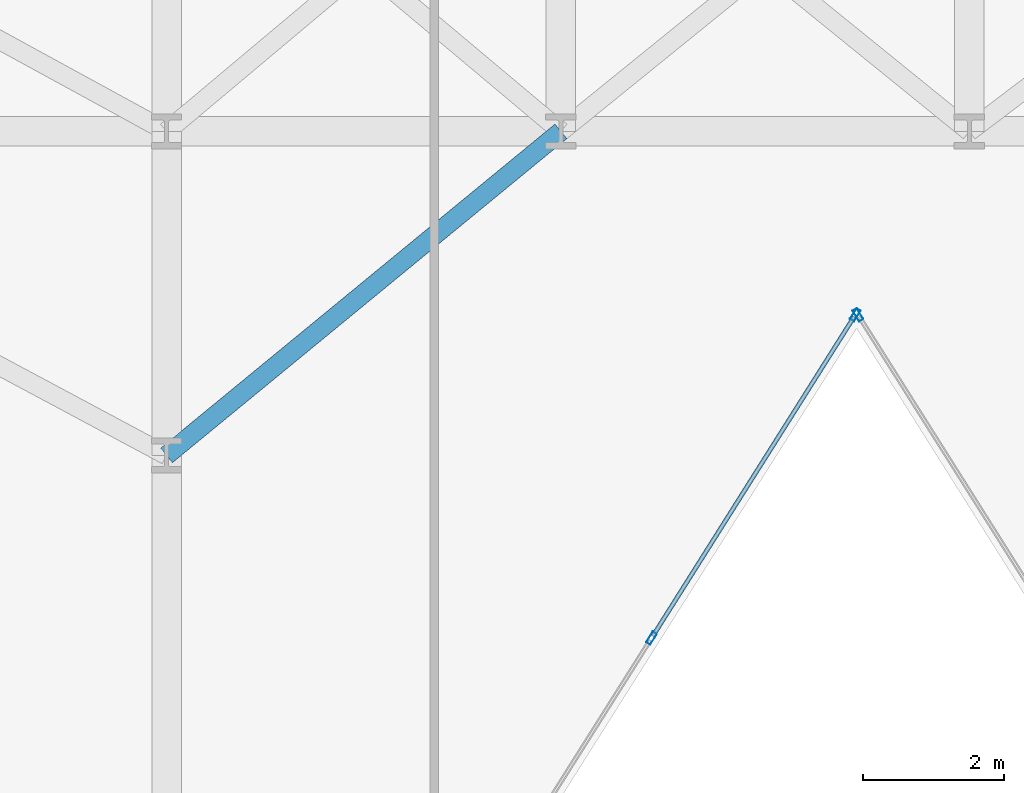
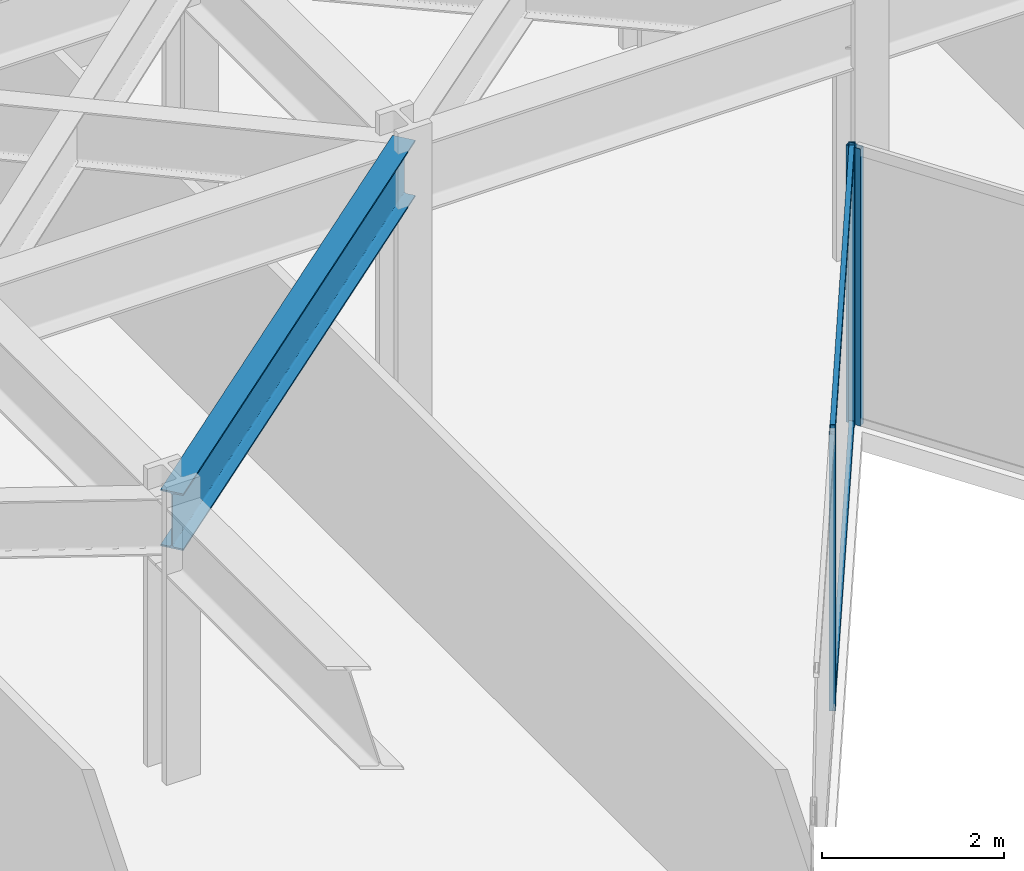
# One storey, part 10 of 25: 5 members, 1 beam, 2 elements without a shape of their own.
"""IFC4 building model written with IfcOpenShell, lengths in metres."""

from ifc_helpers import new_model, si_unit, direction, frame, origin, origin_2d, place, context, subcontext, project, spatial, hollow_rectangle, i_section, extrude, material, layer, layer_set, material_profile, profile_set, type_object, element, aggregate, save


model = new_model("IFC4")

# Units and contexts
model_context = context("Model", 3, precision=1e-05, world=origin(), true_north=direction((0.0, 1.0)))
body_context = subcontext(model_context, "Body", "Model", "MODEL_VIEW")
ifc_project = project(units=[si_unit("LENGTHUNIT", "METRE"), si_unit("AREAUNIT", "SQUARE_METRE"), si_unit("VOLUMEUNIT", "CUBIC_METRE"), si_unit("PLANEANGLEUNIT", "RADIAN"), si_unit("MASSUNIT", "GRAM", prefix="KILO")], contexts=[model_context])

# Site, building, storey
site_placement = place(None, origin())
site = spatial("IfcSite", under=ifc_project, at=site_placement, CompositionType="ELEMENT")
building_placement = place(site_placement, origin())
building = spatial("IfcBuilding", under=site, at=building_placement, Name="Kravanh Interchange Tower", CompositionType="ELEMENT")
storey_placement = place(building_placement, frame((0.0, 0.0, 81.5)))
storey = spatial("IfcBuildingStorey", under=building, at=storey_placement, Name="L19", CompositionType="ELEMENT", Elevation=81.5)

# Curtain wall, member
ifc_material_1 = material(Name="Anodised Bronze Aluminium", Category="aluminium")
ifc_layer = layer(ifc_material_1, 0.179931640625)
ifc_layer_set = layer_set([ifc_layer], Name="Unitised Curtain Wall System CW-Z1 Lower Office")
curtain_wall_type = type_object("IfcCurtainWallType", Name="Unitised Curtain Wall System CW-Z1 Lower Office", PredefinedType="NOTDEFINED", material=ifc_layer_set)
curtain_wall_1_placement = place(storey_placement, origin())
curtain_wall_1 = element("IfcCurtainWall", 1, at=curtain_wall_1_placement, inside=storey, type_object=curtain_wall_type, Name="L19 Unitised Curtain Wall CW-L19-04", PredefinedType="NOTDEFINED")
ifc_material_2 = material(Name="Anodised Bronze Aluminium", Category="aluminium")
ifc_material_profile_1 = material_profile(ifc_material_2, hollow_rectangle(XDim=0.070068359375, YDim=0.179931640625, WallThickness=0.00390625, at=origin_2d()), Name="ALU70X180X4")
ifc_profile_set_1 = profile_set([ifc_material_profile_1], Name="Anodised Bronze Aluminium")
member_type_1 = type_object("IfcMemberType", Name="Curtain Wall Mullion ALU70X180X4 Bronze", PredefinedType="MULLION", material=ifc_profile_set_1)
member_1_placement = place(storey_placement, frame((37.0185546875, 24.1953125, 0.0), z_axis=(0.0, 0.0, 1.0), x_axis=(-0.845925530786, -0.53330103728, 0.0)))
member_1 = element("IfcMember", 2, at=member_1_placement, type_object=member_type_1, Name="CW-Z1 mullion 6", PredefinedType="MULLION", context=body_context, shape_type="SweptSolid", body=[
    extrude(hollow_rectangle(XDim=0.070068359375, YDim=0.179931640625, WallThickness=0.00390625, at=origin_2d()), origin(), (0.0, 0.0, 1.0), 3.719970703125),
])
aggregate(curtain_wall_1, [member_1])

# Curtain wall, members
curtain_wall_2_placement = place(storey_placement, origin())
curtain_wall_2 = element("IfcCurtainWall", 3, at=curtain_wall_2_placement, inside=storey, type_object=curtain_wall_type, Name="L19 Unitised Curtain Wall CW-L19-05", PredefinedType="NOTDEFINED")
member_2_placement = place(storey_placement, frame((36.9814453125, 24.1953125, 0.0), z_axis=(0.0, 0.0, 1.0), x_axis=(0.845925530786, -0.53330103728, 0.0)))
member_2 = element("IfcMember", 4, at=member_2_placement, type_object=member_type_1, Name="CW-Z1 mullion 1", PredefinedType="MULLION", context=body_context, shape_type="SweptSolid", body=[
    extrude(hollow_rectangle(XDim=0.070068359375, YDim=0.179931640625, WallThickness=0.00390625, at=origin_2d()), origin(), (0.0, 0.0, 1.0), 3.719970703125),
])
member_3_placement = place(storey_placement, frame((34.086669921875, 19.60400390625, 0.0), z_axis=(0.0, 0.0, 1.0), x_axis=(0.845925530786, -0.53330103728, 0.0)))
member_3 = element("IfcMember", 5, at=member_3_placement, type_object=member_type_1, Name="CW-Z1 mullion 2", PredefinedType="MULLION", context=body_context, shape_type="SweptSolid", body=[
    extrude(hollow_rectangle(XDim=0.070068359375, YDim=0.179931640625, WallThickness=0.00390625, at=origin_2d()), origin(), (0.0, 0.0, 1.0), 3.719970703125),
])
ifc_material_3 = material(Name="Anodised Bronze Aluminium", Category="aluminium")
ifc_material_profile_2 = material_profile(ifc_material_3, hollow_rectangle(XDim=0.06005859375, YDim=0.139892578125, WallThickness=0.00390625, at=origin_2d()), Name="ALU60X140X4")
ifc_profile_set_2 = profile_set([ifc_material_profile_2], Name="Anodised Bronze Aluminium")
member_type_2 = type_object("IfcMemberType", Name="Curtain Wall Transom ALU60X140X4 Bronze", PredefinedType="USERDEFINED", material=ifc_profile_set_2)
member_4_placement = place(storey_placement, frame((36.962646484375, 24.165771484375, 0.030029296875), z_axis=(-0.533288163518, -0.845933646719, 0.0), x_axis=(0.845933646719, -0.533288163518, 0.0)))
member_4 = element("IfcMember", 6, at=member_4_placement, type_object=member_type_2, Name="CW-Z1 transom 1.1", ObjectType="TRANSOM", PredefinedType="USERDEFINED", context=body_context, shape_type="SweptSolid", body=[
    extrude(hollow_rectangle(XDim=0.06005859375, YDim=0.139892578125, WallThickness=0.00390625, at=origin_2d()), origin(), (0.0, 0.0, 1.0), 5.357666015625),
])
member_5_placement = place(storey_placement, frame((36.962646484375, 24.165771484375, 3.68994140625), z_axis=(-0.533288163518, -0.845933646719, 0.0), x_axis=(0.845933646719, -0.533288163518, 0.0)))
member_5 = element("IfcMember", 7, at=member_5_placement, type_object=member_type_2, Name="CW-Z1 transom 1.2", ObjectType="TRANSOM", PredefinedType="USERDEFINED", context=body_context, shape_type="SweptSolid", body=[
    extrude(hollow_rectangle(XDim=0.06005859375, YDim=0.139892578125, WallThickness=0.00390625, at=origin_2d()), origin(), (0.0, 0.0, 1.0), 5.357666015625),
])
aggregate(curtain_wall_2, [member_2, member_3, member_4, member_5])

# Beam
ifc_material_4 = material(Name="Structural Steel S355", Category="steel")
ifc_material_profile_3 = material_profile(ifc_material_4, i_section(OverallWidth=0.26708984375, OverallDepth=0.761962890625, WebThickness=0.014404296875, FlangeThickness=0.021484375, FilletRadius=0.02490234375, at=origin_2d()), Name="W30X116")
ifc_profile_set_3 = profile_set([ifc_material_profile_3], Name="Structural Steel S355")
beam_type = type_object("IfcBeamType", Name="Floor Spandrel W30X116 Structural Steel S355", PredefinedType="SPANDREL", material=ifc_profile_set_3)
beam_placement = place(storey_placement, frame((27.199951171875, 22.199951171875, 3.339111328125), z_axis=(0.772725074305, 0.634740860147, 0.0), x_axis=(-0.634740860147, 0.772725074305, 0.0)))
element("IfcBeam", 8, at=beam_placement, inside=storey, type_object=beam_type, Name="L19 Perimeter Spandrel 55", PredefinedType="SPANDREL", context=body_context, shape_type="SweptSolid", body=[
    extrude(i_section(OverallWidth=0.26708984375, OverallDepth=0.761962890625, WebThickness=0.014404296875, FlangeThickness=0.021484375, FilletRadius=0.02490234375, at=origin_2d()), origin(), (0.0, 0.0, 1.0), 7.247314453125),
])

save(model, "model.ifc")
